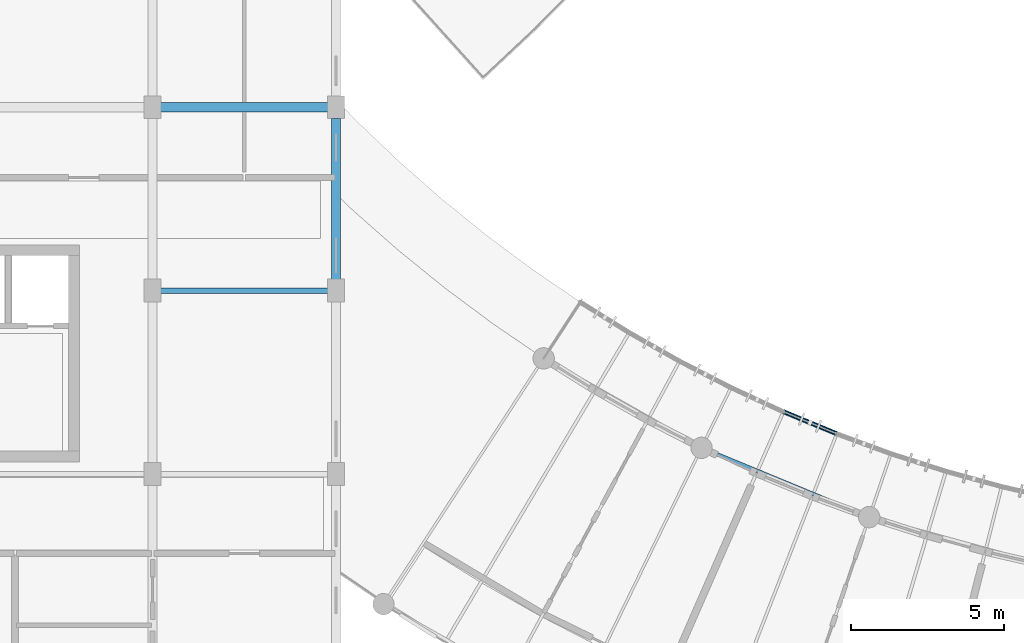
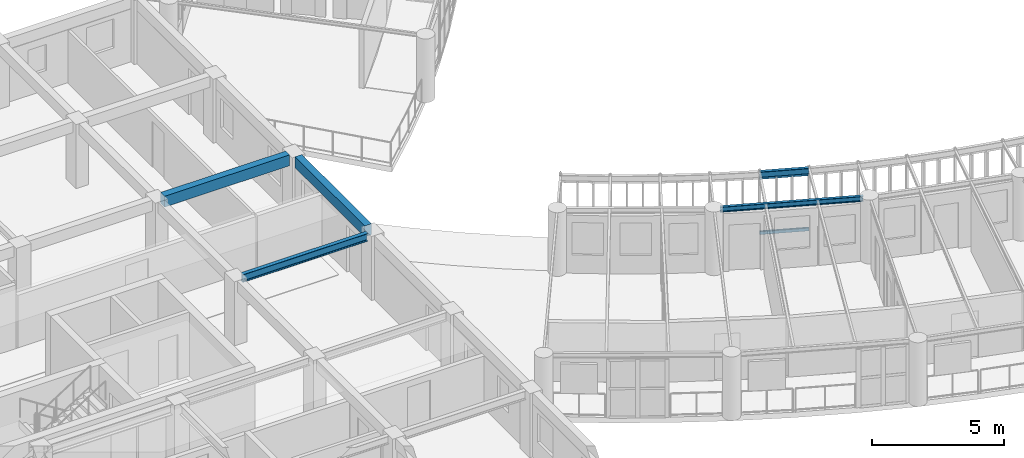
# One storey, part 7 of 100: 5 beams, 2 members.
"""IFC4 building model written with IfcOpenShell, lengths in metres."""

from ifc_helpers import new_model, si_unit, direction, frame, origin, origin_2d, place, context, subcontext, project, spatial, rectangle, hollow_rectangle, i_section, extrude, material, material_profile, profile_set, type_object, element, save


model = new_model("IFC4")

# Units and contexts
model_context = context("Model", 3, precision=1e-05, world=origin(), true_north=direction((0.0, 1.0)))
body_context = subcontext(model_context, "Body", "Model", "MODEL_VIEW")
ifc_project = project(units=[si_unit("LENGTHUNIT", "METRE"), si_unit("AREAUNIT", "SQUARE_METRE"), si_unit("VOLUMEUNIT", "CUBIC_METRE"), si_unit("PLANEANGLEUNIT", "RADIAN"), si_unit("MASSUNIT", "GRAM", prefix="KILO"), si_unit("POWERUNIT", "WATT"), si_unit("THERMODYNAMICTEMPERATUREUNIT", "KELVIN")], contexts=[model_context])

# Site, building, storey
site_placement = place(None, origin())
site = spatial("IfcSite", under=ifc_project, at=site_placement, CompositionType="ELEMENT")
building_placement = place(site_placement, origin())
building = spatial("IfcBuilding", under=site, at=building_placement, Name="Ruvembo Vaulted Housing Court", CompositionType="ELEMENT")
storey_placement = place(building_placement, frame((0.0, 0.0, 10.89990234375)))
storey = spatial("IfcBuildingStorey", under=building, at=storey_placement, Name="L03", CompositionType="ELEMENT", Elevation=10.89990234375)

# Beams
ifc_material_1 = material(Name="Steel S355J2", Category="steel")
ifc_material_profile_1 = material_profile(ifc_material_1, i_section(OverallWidth=0.1201171875, OverallDepth=0.239990234375, WebThickness=0.006103515625, FlangeThickness=0.009765625, FilletRadius=0.014892578125, at=origin_2d()), Name="IPE 240")
ifc_profile_set_1 = profile_set([ifc_material_profile_1], Name="Steel S355J2")
beam_type_1 = type_object("IfcBeamType", Name="BM-ST-IPE240", PredefinedType="BEAM", material=ifc_profile_set_1)
beam_1_placement = place(storey_placement, frame((48.1708984375, 18.77001953125, 2.822021484375), z_axis=(0.924179679045, -0.381958009264, 0.0), x_axis=(0.381958009264, 0.924179679045, 0.0)))
element("IfcBeam", 1, at=beam_1_placement, inside=storey, type_object=beam_type_1, Name="Scoop SC2 L03 Chord Girder F3", PredefinedType="BEAM", context=body_context, shape_type="SweptSolid", body=[
    extrude(i_section(OverallWidth=0.1201171875, OverallDepth=0.239990234375, WebThickness=0.006103515625, FlangeThickness=0.009765625, FilletRadius=0.014892578125, at=origin_2d()), origin(), (0.0, 0.0, 1.0), 5.4765625),
])
ifc_material_profile_2 = material_profile(ifc_material_1, i_section(OverallWidth=0.169921875, OverallDepth=0.360107421875, WebThickness=0.008056640625, FlangeThickness=0.0126953125, FilletRadius=0.01806640625, at=origin_2d()), Name="IPE 360")
ifc_profile_set_2 = profile_set([ifc_material_profile_2], Name="Steel S355J2")
beam_type_2 = type_object("IfcBeamType", Name="BM-ST-IPE360", PredefinedType="BEAM", material=ifc_profile_set_2)
beam_2_placement = place(storey_placement, frame((30.260009765625, 24.0, 2.74609375), z_axis=(1.0, 0.0, 0.0), x_axis=(0.0, 1.0, 0.0)))
element("IfcBeam", 2, at=beam_2_placement, inside=storey, type_object=beam_type_2, Name="L03 Grid Beam X #1746", PredefinedType="BEAM", context=body_context, shape_type="SweptSolid", body=[
    extrude(i_section(OverallWidth=0.169921875, OverallDepth=0.360107421875, WebThickness=0.008056640625, FlangeThickness=0.0126953125, FilletRadius=0.01806640625, at=origin_2d()), origin(), (0.0, 0.0, 1.0), 5.47998046875),
])
ifc_material_profile_3 = material_profile(ifc_material_1, hollow_rectangle(XDim=0.14990234375, YDim=0.25, WallThickness=0.010009765625, InnerFilletRadius=0.010009765625, OuterFilletRadius=0.02001953125, at=origin_2d()), Name="RHS 250x150x10")
ifc_profile_set_3 = profile_set([ifc_material_profile_3], Name="Steel S355J2")
beam_type_3 = type_object("IfcBeamType", Name="BM-ST-RHS250", PredefinedType="SPANDREL", material=ifc_profile_set_3)
beam_3_placement = place(storey_placement, frame((50.637451171875, 20.042236328125, 2.815185546875), z_axis=(0.924155321549, -0.38201693896, 0.0), x_axis=(0.38201693896, 0.924155321549, 0.0)))
element("IfcBeam", 3, at=beam_3_placement, inside=storey, type_object=beam_type_3, Name="Scoop SC2 L03 Balcony Edge Spandrel 4", PredefinedType="SPANDREL", context=body_context, shape_type="SweptSolid", body=[
    extrude(hollow_rectangle(XDim=0.14990234375, YDim=0.25, WallThickness=0.010009765625, InnerFilletRadius=0.010009765625, OuterFilletRadius=0.02001953125, at=origin_2d()), origin(), (0.0, 0.0, 1.0), 1.88916015625),
])

# Members
ifc_material_profile_4 = material_profile(ifc_material_1, hollow_rectangle(XDim=0.06005859375, YDim=0.1201171875, WallThickness=0.0048828125, InnerFilletRadius=0.0048828125, OuterFilletRadius=0.010009765625, at=origin_2d()), Name="RHS 120x60x5")
ifc_profile_set_4 = profile_set([ifc_material_profile_4], Name="Steel S355J2")
member_type_1 = type_object("IfcMemberType", Name="MEM-CAR-RHS120", PredefinedType="CHORD", material=ifc_profile_set_4)
member_1_placement = place(storey_placement, frame((50.637451171875, 20.042236328125, 2.633056640625), z_axis=(0.924155321549, -0.38201693896, 0.0), x_axis=(0.38201693896, 0.924155321549, 0.0)))
element("IfcMember", 4, at=member_1_placement, inside=storey, type_object=member_type_1, Name="Scoop SC2 L03 Upper Louvre Carrier Rail 4", PredefinedType="CHORD", context=body_context, shape_type="SweptSolid", body=[
    extrude(hollow_rectangle(XDim=0.06005859375, YDim=0.1201171875, WallThickness=0.0048828125, InnerFilletRadius=0.0048828125, OuterFilletRadius=0.010009765625, at=origin_2d()), origin(), (0.0, 0.0, 1.0), 1.88916015625),
])
ifc_material_profile_5 = material_profile(ifc_material_1, hollow_rectangle(XDim=0.080078125, YDim=0.14990234375, WallThickness=0.00634765625, InnerFilletRadius=0.00634765625, OuterFilletRadius=0.0126953125, at=origin_2d()), Name="RHS 150x80x6.3")
ifc_profile_set_5 = profile_set([ifc_material_profile_5], Name="Steel S355J2")
member_type_2 = type_object("IfcMemberType", Name="MEM-CAR-RHS150", PredefinedType="CHORD", material=ifc_profile_set_5)
member_2_placement = place(storey_placement, frame((50.637451171875, 20.042236328125, 0.09521484375), z_axis=(0.924155321549, -0.38201693896, 0.0), x_axis=(0.38201693896, 0.924155321549, 0.0)))
element("IfcMember", 5, at=member_2_placement, inside=storey, type_object=member_type_2, Name="Scoop SC2 L03 Lower Louvre Carrier Rail 4", PredefinedType="CHORD", context=body_context, shape_type="SweptSolid", body=[
    extrude(hollow_rectangle(XDim=0.080078125, YDim=0.14990234375, WallThickness=0.00634765625, InnerFilletRadius=0.00634765625, OuterFilletRadius=0.0126953125, at=origin_2d()), origin(), (0.0, 0.0, 1.0), 1.88916015625),
])

# Beams
ifc_material_2 = material(Name="Concrete C35/45", Category="concrete")
ifc_material_profile_6 = material_profile(ifc_material_2, rectangle(XDim=0.300048828125, YDim=0.5, at=origin_2d()), Name="RC 300x500")
ifc_profile_set_6 = profile_set([ifc_material_profile_6], Name="Concrete C35/45")
beam_type_4 = type_object("IfcBeamType", Name="SP-RC-300x500", PredefinedType="SPANDREL", material=ifc_profile_set_6)
beam_4_placement = place(storey_placement, frame((30.260009765625, 30.0, 2.710205078125), z_axis=(1.0, 0.0, 0.0), x_axis=(0.0, 1.0, 0.0)))
element("IfcBeam", 6, at=beam_4_placement, inside=storey, type_object=beam_type_4, Name="L03 Grid Beam X #1758", PredefinedType="SPANDREL", context=body_context, shape_type="SweptSolid", body=[
    extrude(rectangle(XDim=0.300048828125, YDim=0.5, at=origin_2d()), origin(), (0.0, 0.0, 1.0), 5.47998046875),
])
beam_5_placement = place(storey_placement, frame((36.0, 24.360107421875, 2.710205078125), z_axis=(0.0, 1.0, 0.0), x_axis=(-1.0, 0.0, 0.0)))
element("IfcBeam", 7, at=beam_5_placement, inside=storey, type_object=beam_type_4, Name="L03 Grid Beam Y #1889", PredefinedType="SPANDREL", context=body_context, shape_type="SweptSolid", body=[
    extrude(rectangle(XDim=0.300048828125, YDim=0.5, at=origin_2d()), origin(), (0.0, 0.0, 1.0), 5.27978515625),
])

save(model, "model.ifc")
